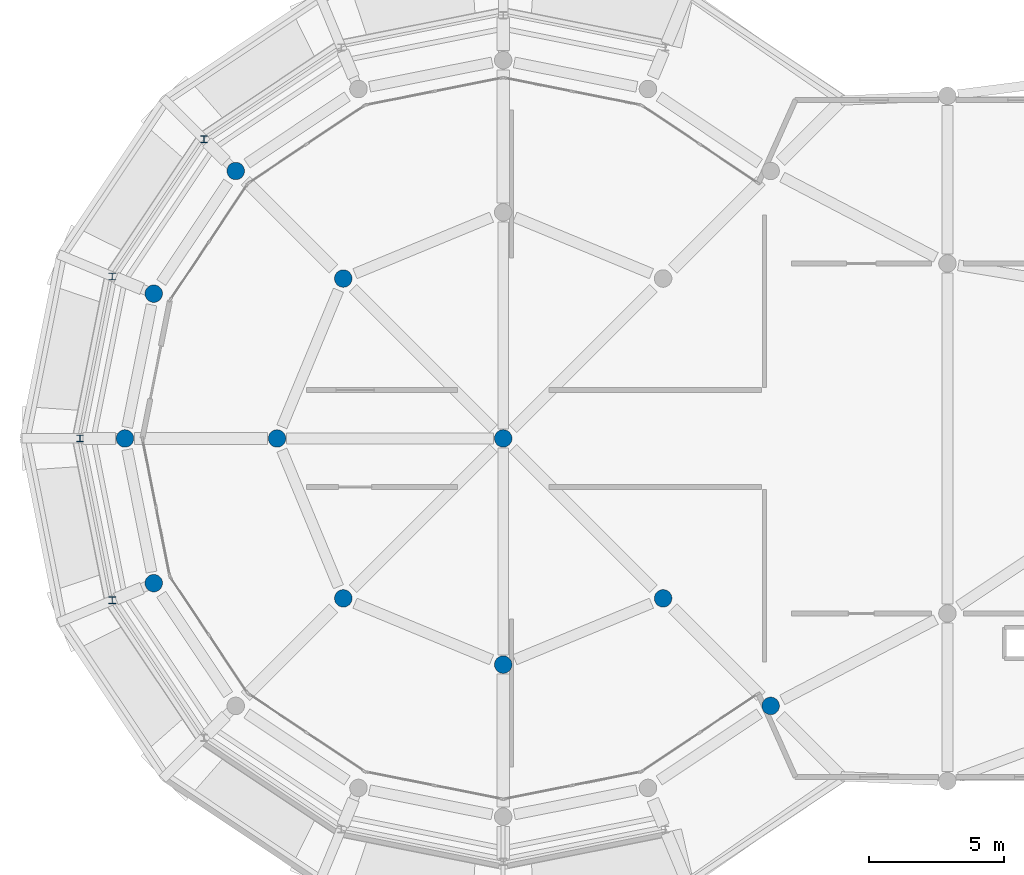
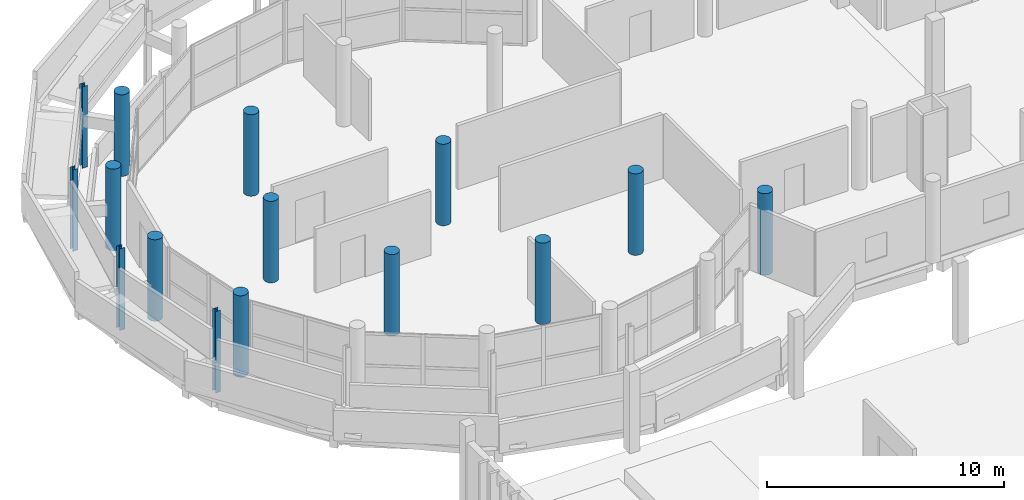
# One storey, part 4 of 137: 15 columns.
"""IFC4 building model written with IfcOpenShell, lengths in metres."""

from ifc_helpers import new_model, si_unit, direction, frame, origin, origin_2d, place, context, subcontext, project, spatial, circle, i_section, extrude, material, material_profile, profile_set, type_object, element, save


model = new_model("IFC4")

# Units and contexts
model_context = context("Model", 3, precision=1e-05, world=origin(), true_north=direction((0.0, 1.0)))
body_context = subcontext(model_context, "Body", "Model", "MODEL_VIEW")
ifc_project = project(units=[si_unit("LENGTHUNIT", "METRE"), si_unit("AREAUNIT", "SQUARE_METRE"), si_unit("VOLUMEUNIT", "CUBIC_METRE"), si_unit("PLANEANGLEUNIT", "RADIAN"), si_unit("MASSUNIT", "GRAM", prefix="KILO")], contexts=[model_context])

# Site, building, storey
site_placement = place(None, origin())
site = spatial("IfcSite", under=ifc_project, at=site_placement, CompositionType="ELEMENT")
building_placement = place(site_placement, origin())
building = spatial("IfcBuilding", under=site, at=building_placement, Name="Jelvoka-Kovrelna Polytechnic", CompositionType="ELEMENT")
storey_placement = place(building_placement, frame((0.0, 0.0, 9.60009765625)))
storey = spatial("IfcBuildingStorey", under=building, at=storey_placement, Name="L03", CompositionType="ELEMENT", Elevation=9.60009765625)

# Columns
ifc_material_1 = material(Name="Concrete C40/50", Category="concrete")
ifc_material_profile_1 = material_profile(ifc_material_1, circle(Radius=0.324951171875, at=origin_2d()), Name="RC D650")
ifc_profile_set_1 = profile_set([ifc_material_profile_1], Name="Concrete C40/50")
column_type_1 = type_object("IfcColumnType", Name="Col_RC_D650", PredefinedType="COLUMN", material=ifc_profile_set_1)
for number, where, z_axis, x_axis, name in (
    (1, (35.434814453125, 32.565185546875, 0.0), (0.0, 0.0, 1.0), (1.0, 0.0, 0.0), "L03 column 0581"),
    (2, (25.5, 34.10009765625, 0.0), (0.0, 0.0, 1.0), (1.0, 0.0, 0.0), "L03 column 0587"),
    (3, (19.560302734375, 36.560302734375, 0.0), (0.0, 0.0, 1.0), (1.0, 0.0, 0.0), "L03 column 0599"),
    (4, (31.439697265625, 36.560302734375, 0.0), (0.0, 0.0, 1.0), (1.0, 0.0, 0.0), "L03 column 0605"),
    (5, (12.51953125, 37.123291015625, 0.0), (0.0, 0.0, 1.0), (1.0, 0.0, 0.0), "L03 column 0611"),
    (6, (11.449951171875, 42.5, 0.0), (0.0, 0.0, 1.0), (1.0, 0.0, 0.0), "L03 column 0757"),
    (7, (17.10009765625, 42.5, 0.0), (0.0, 0.0, 1.0), (1.0, 0.0, 0.0), "L03 column 0763"),
    (8, (25.5, 42.5, 0.0), (0.0, 0.0, 1.0), (1.0, 0.0, 0.0), "L03 column 0769"),
    (9, (12.51953125, 47.876708984375, 0.0), (0.0, 0.0, 1.0), (1.0, 0.0, 0.0), "L03 column 0775"),
    (10, (19.560302734375, 48.439697265625, 0.0), (0.0, 0.0, 1.0), (1.0, 0.0, 0.0), "L03 column 0921"),
    (11, (15.565185546875, 52.434814453125, 0.0), (0.0, 0.0, 1.0), (1.0, 0.0, 0.0), "L03 column 0945"),
):
    element("IfcColumn", number, at=place(storey_placement, frame(where, z_axis=z_axis, x_axis=x_axis)), inside=storey, type_object=column_type_1, Name=name, PredefinedType="COLUMN", context=body_context, shape_type="SweptSolid", body=[
        extrude(circle(Radius=0.324951171875, at=origin_2d()), origin(), (0.0, 0.0, 1.0), 4.199951171875),
    ])
ifc_material_2 = material(Name="Structural steel S355JR", Category="steel")
ifc_material_profile_2 = material_profile(ifc_material_2, i_section(OverallWidth=0.254638671875, OverallDepth=0.254150390625, WebThickness=0.008544921875, FlangeThickness=0.01416015625, FilletRadius=0.0126953125, at=origin_2d()), Name="254x254x73 UC")
ifc_profile_set_2 = profile_set([ifc_material_profile_2], Name="Structural steel S355JR")
column_type_2 = type_object("IfcColumnType", Name="Col_Steel_UC254", PredefinedType="COLUMN", material=ifc_profile_set_2)
for number, where, z_axis, x_axis, name in (
    (12, (14.38427734375, 53.61572265625, 0.0), (0.0, 0.0, 1.0), (1.0, 0.0, 0.0), "L03 recessed rotunda gallery post 1743"),
    (13, (10.9765625, 48.515869140625, 0.0), (0.0, 0.0, 1.0), (1.0, 0.0, 0.0), "L03 recessed rotunda gallery post 1749"),
    (14, (9.780029296875, 42.5, 0.0), (0.0, 0.0, 1.0), (1.0, 0.0, 0.0), "L03 recessed rotunda gallery post 1755"),
    (15, (10.9765625, 36.484130859375, 0.0), (0.0, 0.0, 1.0), (1.0, 0.0, 0.0), "L03 recessed rotunda gallery post 1761"),
):
    element("IfcColumn", number, at=place(storey_placement, frame(where, z_axis=z_axis, x_axis=x_axis)), inside=storey, type_object=column_type_2, Name=name, PredefinedType="COLUMN", context=body_context, shape_type="SweptSolid", body=[
        extrude(i_section(OverallWidth=0.254638671875, OverallDepth=0.254150390625, WebThickness=0.008544921875, FlangeThickness=0.01416015625, FilletRadius=0.0126953125, at=origin_2d()), origin(), (0.0, 0.0, 1.0), 4.199951171875),
    ])

save(model, "model.ifc")
